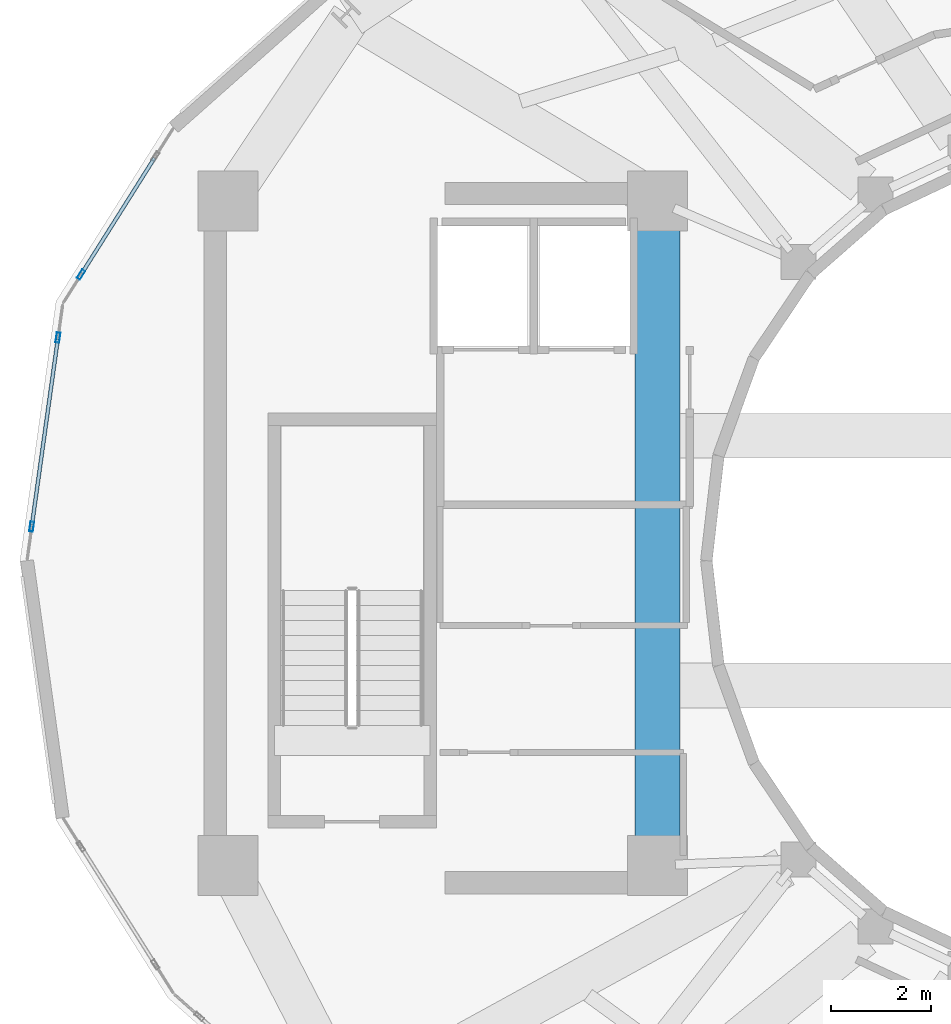
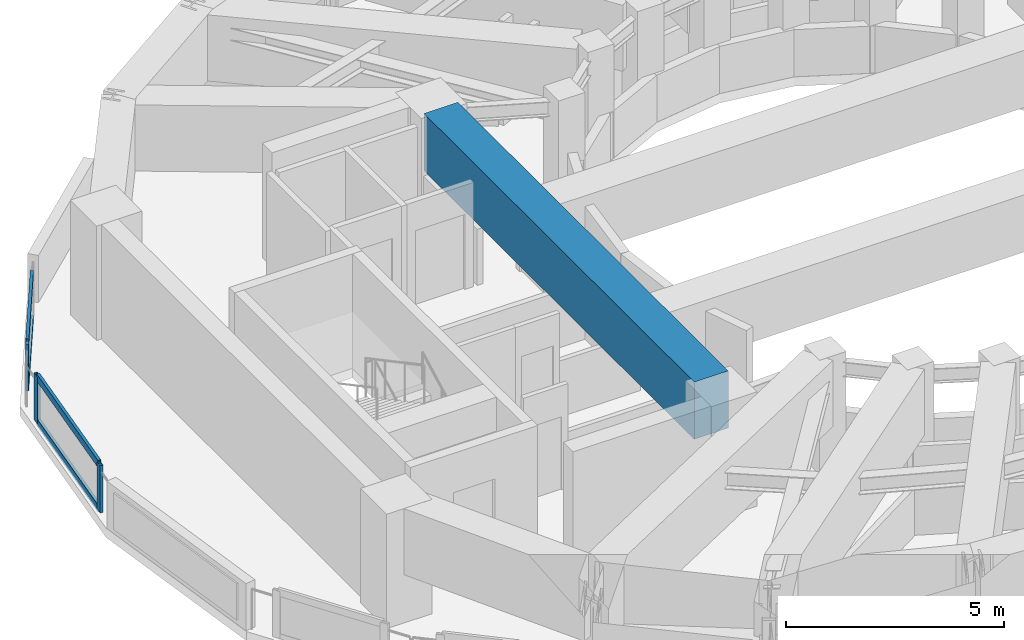
# One storey, part 7 of 18: 7 members, 1 beam, 2 elements without a shape of their own.
"""IFC4 building model written with IfcOpenShell, lengths in metres."""

from ifc_helpers import new_model, si_unit, direction, frame, origin, origin_2d, place, context, subcontext, project, spatial, rectangle, hollow_rectangle, extrude, material, layer, layer_set, material_profile, profile_set, type_object, element, aggregate, save


model = new_model("IFC4")

# Units and contexts
model_context = context("Model", 3, precision=1e-05, world=origin(), true_north=direction((0.0, 1.0)))
body_context = subcontext(model_context, "Body", "Model", "MODEL_VIEW")
ifc_project = project(units=[si_unit("LENGTHUNIT", "METRE"), si_unit("AREAUNIT", "SQUARE_METRE"), si_unit("VOLUMEUNIT", "CUBIC_METRE"), si_unit("PLANEANGLEUNIT", "RADIAN"), si_unit("MASSUNIT", "GRAM", prefix="KILO")], contexts=[model_context])

# Site, building, storey
site_placement = place(None, origin())
site = spatial("IfcSite", under=ifc_project, at=site_placement, CompositionType="ELEMENT")
building_placement = place(site_placement, origin())
building = spatial("IfcBuilding", under=site, at=building_placement, Name="Solvane Sanctuary Tower", CompositionType="ELEMENT")
storey_placement = place(building_placement, frame((0.0, 0.0, 263.60009765625)))
storey = spatial("IfcBuildingStorey", under=building, at=storey_placement, Name="L80", CompositionType="ELEMENT", Elevation=263.60009765625)

# Beam
ifc_material_1 = material(Name="Concrete C60/75", Category="concrete")
ifc_material_profile_1 = material_profile(ifc_material_1, rectangle(XDim=0.89990234375, YDim=1.60009765625, at=origin_2d()), Name="RC900X1600")
ifc_profile_set_1 = profile_set([ifc_material_profile_1], Name="Concrete C60/75")
beam_type = type_object("IfcBeamType", Name="Beam B-XFER-SP RC900X1600", PredefinedType="BEAM", material=ifc_profile_set_1)
beam_placement = place(storey_placement, frame((23.89990234375, 17.35009765625, 2.39990234375), z_axis=(0.0, 1.0, 0.0), x_axis=(-1.0, 0.0, 0.0)))
element("IfcBeam", 1, at=beam_placement, inside=storey, type_object=beam_type, Name="L80 Spire West Core Edge Transfer Girder", PredefinedType="BEAM", context=body_context, shape_type="SweptSolid", body=[
    extrude(rectangle(XDim=0.89990234375, YDim=1.60009765625, at=origin_2d()), origin(), (0.0, 0.0, 1.0), 12.39990234375),
])

# Curtain wall, member
ifc_material_2 = material(Name="Anodised Aluminium 6063-T6", Category="aluminium")
ifc_layer = layer(ifc_material_2, 0.219970703125, Name="Anodised Aluminium 6063-T6")
ifc_layer_set = layer_set([ifc_layer], Name="Anodised Aluminium 6063-T6")
curtain_wall_type = type_object("IfcCurtainWallType", Name="Curtain Wall CW-CROWN", PredefinedType="NOTDEFINED", material=ifc_layer_set)
curtain_wall_1_placement = place(storey_placement, origin())
curtain_wall_1 = element("IfcCurtainWall", 2, at=curtain_wall_1_placement, inside=storey, type_object=curtain_wall_type, Name="L80 Crown Fritted Lantern Curtain Wall 10", PredefinedType="NOTDEFINED")
ifc_material_profile_2 = material_profile(ifc_material_2, hollow_rectangle(XDim=0.074951171875, YDim=0.199951171875, WallThickness=0.00390625, at=origin_2d()), Name="ALU200X75X4")
ifc_profile_set_2 = profile_set([ifc_material_profile_2], Name="Anodised Aluminium 6063-T6")
member_type_1 = type_object("IfcMemberType", Name="Member M-CW-MUL-1 ALU200X75X4", PredefinedType="MULLION", material=ifc_profile_set_2)
member_1_placement = place(storey_placement, frame((12.3623046875, 28.726806640625, 0.0), z_axis=(0.0, 0.0, 1.0), x_axis=(0.846086642635, -0.533045395022, 0.0)))
member_1 = element("IfcMember", 3, at=member_1_placement, type_object=member_type_1, Name="CW-CROWN mullion 2", PredefinedType="MULLION", context=body_context, shape_type="SweptSolid", body=[
    extrude(hollow_rectangle(XDim=0.074951171875, YDim=0.199951171875, WallThickness=0.00390625, at=origin_2d()), origin(), (0.0, 0.0, 1.0), 1.31982421875),
])

# Curtain wall, members
curtain_wall_2_placement = place(storey_placement, origin())
curtain_wall_2 = element("IfcCurtainWall", 4, at=curtain_wall_2_placement, inside=storey, type_object=curtain_wall_type, Name="L80 Crown Fritted Lantern Curtain Wall 11", PredefinedType="NOTDEFINED")
member_2_placement = place(storey_placement, frame((11.901123046875, 27.464111328125, 0.0), z_axis=(0.0, 0.0, 1.0), x_axis=(0.990459006249, -0.13780768099, 0.0)))
member_2 = element("IfcMember", 5, at=member_2_placement, type_object=member_type_1, Name="CW-CROWN mullion 1", PredefinedType="MULLION", context=body_context, shape_type="SweptSolid", body=[
    extrude(hollow_rectangle(XDim=0.074951171875, YDim=0.199951171875, WallThickness=0.00390625, at=origin_2d()), origin(), (0.0, 0.0, 1.0), 1.31982421875),
])
member_3_placement = place(storey_placement, frame((11.374755859375, 23.680908203125, 0.0), z_axis=(0.0, 0.0, 1.0), x_axis=(0.990459006249, -0.13780768099, 0.0)))
member_3 = element("IfcMember", 6, at=member_3_placement, type_object=member_type_1, Name="CW-CROWN mullion 2", PredefinedType="MULLION", context=body_context, shape_type="SweptSolid", body=[
    extrude(hollow_rectangle(XDim=0.074951171875, YDim=0.199951171875, WallThickness=0.00390625, at=origin_2d()), origin(), (0.0, 0.0, 1.0), 1.31982421875),
])

# Member
ifc_material_profile_3 = material_profile(ifc_material_2, hollow_rectangle(XDim=0.074951171875, YDim=0.199951171875, WallThickness=0.00390625, at=origin_2d()), Name="ALU200X75X4")
ifc_profile_set_3 = profile_set([ifc_material_profile_3], Name="Anodised Aluminium 6063-T6")
member_type_2 = type_object("IfcMemberType", Name="Member M-CW-TRN-2 ALU200X75X4", PredefinedType="USERDEFINED", material=ifc_profile_set_3)
member_4_placement = place(storey_placement, frame((13.8310546875, 31.057861328125, 0.037353515625), z_axis=(-0.533080100401, -0.846064776808, 0.0), x_axis=(0.846064776808, -0.533080100401, 0.0)))
member_4 = element("IfcMember", 7, at=member_4_placement, type_object=member_type_2, Name="CW-CROWN transom 1.1", ObjectType="TRANSOM", PredefinedType="USERDEFINED", context=body_context, shape_type="SweptSolid", body=[
    extrude(hollow_rectangle(XDim=0.074951171875, YDim=0.199951171875, WallThickness=0.00390625, at=origin_2d()), origin(), (0.0, 0.0, 1.0), 2.7177734375),
])

member_5_placement = place(storey_placement, frame((13.8310546875, 31.057861328125, 1.282470703125), z_axis=(-0.533080100401, -0.846064776808, 0.0), x_axis=(0.846064776808, -0.533080100401, 0.0)))
member_5 = element("IfcMember", 8, at=member_5_placement, type_object=member_type_2, Name="CW-CROWN transom 1.2", ObjectType="TRANSOM", PredefinedType="USERDEFINED", context=body_context, shape_type="SweptSolid", body=[
    extrude(hollow_rectangle(XDim=0.074951171875, YDim=0.199951171875, WallThickness=0.00390625, at=origin_2d()), origin(), (0.0, 0.0, 1.0), 2.7177734375),
])

aggregate(curtain_wall_1, [member_1, member_4, member_5])

member_6_placement = place(storey_placement, frame((11.89599609375, 27.427001953125, 0.037353515625), z_axis=(-0.137824215094, -0.990456705633, 0.0), x_axis=(0.990456705633, -0.137824215094, 0.0)))
member_6 = element("IfcMember", 9, at=member_6_placement, type_object=member_type_2, Name="CW-CROWN transom 1.1", ObjectType="TRANSOM", PredefinedType="USERDEFINED", context=body_context, shape_type="SweptSolid", body=[
    extrude(hollow_rectangle(XDim=0.074951171875, YDim=0.199951171875, WallThickness=0.00390625, at=origin_2d()), origin(), (0.0, 0.0, 1.0), 3.74462890625),
])

member_7_placement = place(storey_placement, frame((11.89599609375, 27.427001953125, 1.282470703125), z_axis=(-0.137824215094, -0.990456705633, 0.0), x_axis=(0.990456705633, -0.137824215094, 0.0)))
member_7 = element("IfcMember", 10, at=member_7_placement, type_object=member_type_2, Name="CW-CROWN transom 1.2", ObjectType="TRANSOM", PredefinedType="USERDEFINED", context=body_context, shape_type="SweptSolid", body=[
    extrude(hollow_rectangle(XDim=0.074951171875, YDim=0.199951171875, WallThickness=0.00390625, at=origin_2d()), origin(), (0.0, 0.0, 1.0), 3.74462890625),
])

aggregate(curtain_wall_2, [member_2, member_3, member_6, member_7])

save(model, "model.ifc")
